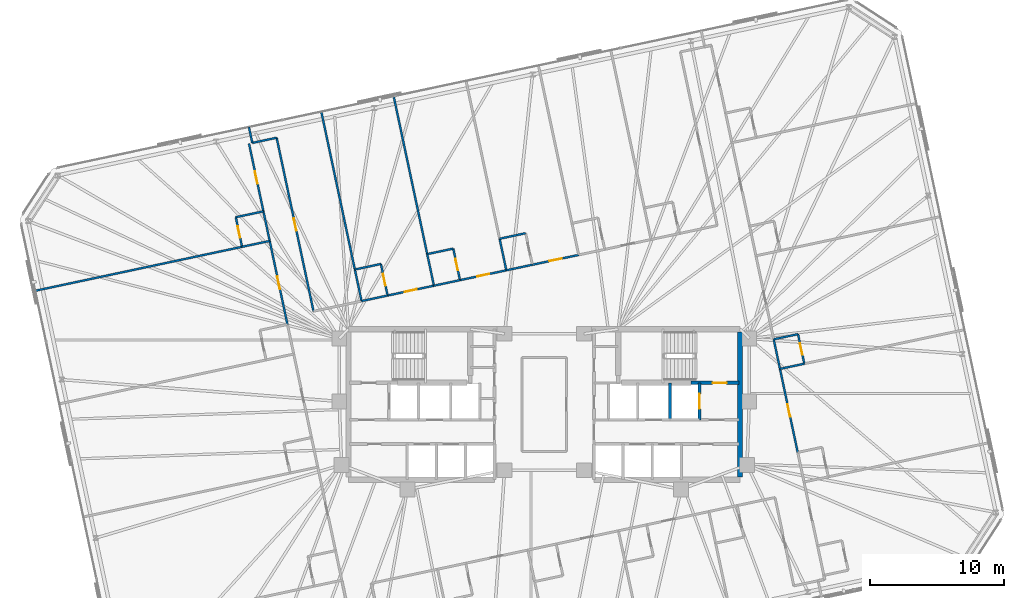
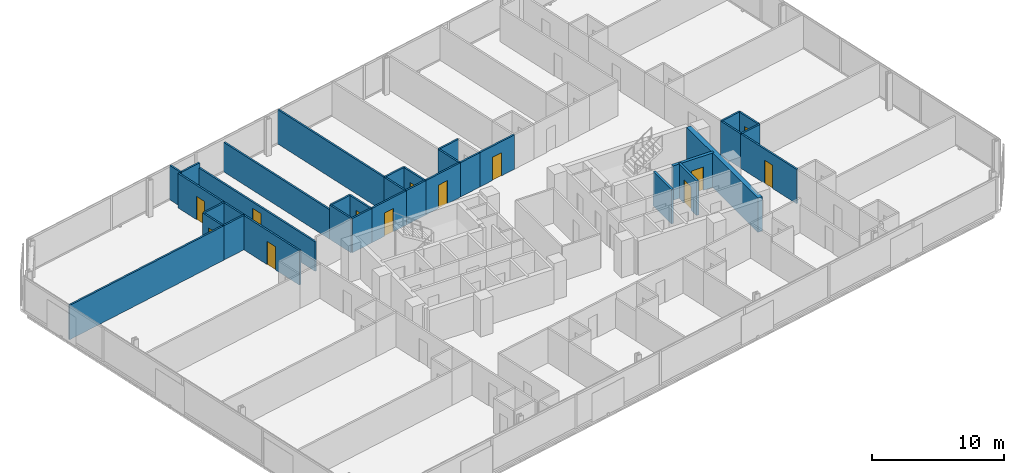
# One storey, part 17 of 20: 35 walls, 13 doors, 13 openings.
"""IFC4 building model written with IfcOpenShell, lengths in metres."""

from ifc_helpers import new_model, si_unit, direction, frame, frame_2d, origin, place, context, subcontext, project, spatial, rectangle, extrude, material, layer, layer_set, type_object, element, fill, save


model = new_model("IFC4")

# Units and contexts
model_context = context("Model", 3, precision=1e-05, world=origin(), true_north=direction((0.0, 1.0)))
body_context = subcontext(model_context, "Body", "Model", "MODEL_VIEW")
ifc_project = project(units=[si_unit("LENGTHUNIT", "METRE"), si_unit("AREAUNIT", "SQUARE_METRE"), si_unit("VOLUMEUNIT", "CUBIC_METRE"), si_unit("PLANEANGLEUNIT", "RADIAN"), si_unit("MASSUNIT", "GRAM", prefix="KILO")], contexts=[model_context])

# Site, building, storey
site_placement = place(None, origin())
site = spatial("IfcSite", under=ifc_project, at=site_placement, CompositionType="ELEMENT")
building_placement = place(site_placement, origin())
building = spatial("IfcBuilding", under=site, at=building_placement, Name="Menara Jurai Vektor", CompositionType="ELEMENT")
storey_placement = place(building_placement, frame((0.0, 0.0, 178.60009765625)))
storey = spatial("IfcBuildingStorey", under=building, at=storey_placement, Name="L46", CompositionType="ELEMENT", Elevation=178.60009765625)

# Wall, opening, door
ifc_material_1 = material(Name="Concrete C40/50", Category="concrete")
ifc_layer_1 = layer(ifc_material_1, 0.25)
ifc_layer_set_1 = layer_set([ifc_layer_1], Name="Concrete C40/50")
wall_type_1 = type_object("IfcWallType", Name="INT-WALL-CORE-250", PredefinedType="STANDARD", material=ifc_layer_set_1)
wall_1_placement = place(storey_placement, frame((10.89990234375, 1.60009765625, 0.0), z_axis=(0.0, 0.0, 1.0), x_axis=(1.0, 0.0, 0.0)))
wall_1 = element("IfcWall", 1, at=wall_1_placement, inside=storey, type_object=wall_type_1, Name="Interior Wall IW-250 L46", PredefinedType="STANDARD", context=body_context, shape_type="SweptSolid", body=[
    extrude(rectangle(XDim=3.60009765625, YDim=0.25, at=frame_2d((1.800048828125, 0.0))), origin(), (0.0, 0.0, 1.0), 3.1748046875),
])
opening_1_placement = place(wall_1_placement, frame((1.6201171875, 0.0, 0.0)))
opening_1 = element("IfcOpeningElement", 2, at=opening_1_placement, cuts=wall_1, Name="Opening D-L46-ST2", PredefinedType="OPENING", context=body_context, shape_type="SweptSolid", body=[
    extrude(rectangle(XDim=1.050048828125, YDim=2.14990234375, at=frame_2d((0.52490234375, 1.074951171875))), frame((0.0, 0.135009765625, 0.0), z_axis=(0.0, -1.0, 0.0), x_axis=(1.0, 0.0, 0.0)), (0.0, 0.0, 1.0), 0.27001953125),
])
ifc_material_2 = material(Name="Fire-Rated Steel Door", Category="steel")
door_type_1 = type_object("IfcDoorType", Name="DR-STAIR-1050", OperationType="NOTDEFINED", PredefinedType="DOOR", material=ifc_material_2)
door_1_placement = place(opening_1_placement, origin())
door_1 = element("IfcDoor", 3, at=door_1_placement, inside=storey, type_object=door_type_1, Name="Exit Stair ST2 Door L46", OperationType="SINGLE_SWING_LEFT", OverallHeight=2.14990234375, OverallWidth=1.050048828125, PredefinedType="DOOR", context=body_context, shape_type="SweptSolid", body=[
    extrude(rectangle(XDim=1.050048828125, YDim=2.14990234375, at=frame_2d((0.52490234375, 1.074951171875))), frame((0.0, 0.02490234375, 0.0), z_axis=(0.0, -1.0, 0.0), x_axis=(1.0, 0.0, 0.0)), (0.0, 0.0, 1.0), 0.050048828125),
])
fill(opening_1, door_1)

wall_2_placement = place(storey_placement, frame((11.550048828125, -1.14990234375, 0.0), z_axis=(0.0, 0.0, 1.0), x_axis=(0.0, 1.0, 0.0)))
wall_2 = element("IfcWall", 4, at=wall_2_placement, inside=storey, type_object=wall_type_1, Name="Interior Wall IW-250 L46", PredefinedType="STANDARD", context=body_context, shape_type="SweptSolid", body=[
    extrude(rectangle(XDim=2.75, YDim=0.199951171875, at=frame_2d((1.375, 0.0))), origin(), (0.0, 0.0, 1.0), 3.1748046875),
])
opening_2_placement = place(wall_2_placement, frame((0.824951171875, 0.0, 0.0)))
opening_2 = element("IfcOpeningElement", 5, at=opening_2_placement, cuts=wall_2, Name="Opening LD-L46-FL2", PredefinedType="OPENING", context=body_context, shape_type="SweptSolid", body=[
    extrude(rectangle(XDim=1.10009765625, YDim=2.14990234375, at=frame_2d((0.550048828125, 1.074951171875))), frame((0.0, 0.10986328125, 0.0), z_axis=(0.0, -1.0, 0.0), x_axis=(1.0, 0.0, 0.0)), (0.0, 0.0, 1.0), 0.219970703125),
])
ifc_material_3 = material(Name="Stainless Steel Sliding Lift Landing Door", Category="steel")
door_type_2 = type_object("IfcDoorType", Name="DR-LIFT-FIRE-1100", OperationType="NOTDEFINED", PredefinedType="DOOR", material=ifc_material_3)
door_2_placement = place(opening_2_placement, origin())
door_2 = element("IfcDoor", 6, at=door_2_placement, inside=storey, type_object=door_type_2, Name="Lift Landing Door FL2 L46", OperationType="SLIDING_TO_RIGHT", OverallHeight=2.14990234375, OverallWidth=1.10009765625, PredefinedType="DOOR", context=body_context, shape_type="SweptSolid", body=[
    extrude(rectangle(XDim=1.10009765625, YDim=2.14990234375, at=frame_2d((0.550048828125, 1.074951171875))), frame((0.0, 0.02490234375, 0.0), z_axis=(0.0, -1.0, 0.0), x_axis=(1.0, 0.0, 0.0)), (0.0, 0.0, 1.0), 0.050048828125),
])
fill(opening_2, door_2)

# Walls
wall_3_placement = place(storey_placement, frame((9.35009765625, -1.14990234375, 0.0), z_axis=(0.0, 0.0, 1.0), x_axis=(0.0, 1.0, 0.0)))
element("IfcWall", 7, at=wall_3_placement, inside=storey, type_object=wall_type_1, Name="Interior Wall IW-250 L46", PredefinedType="STANDARD", context=body_context, shape_type="SweptSolid", body=[
    extrude(rectangle(XDim=2.75, YDim=0.199951171875, at=frame_2d((1.375, 0.0))), origin(), (0.0, 0.0, 1.0), 3.1748046875),
])
ifc_material_4 = material(Name="Gypsum Fireboard Partition", Category="gypsum")
ifc_layer_2 = layer(ifc_material_4, 0.14990234375)
ifc_layer_set_2 = layer_set([ifc_layer_2], Name="Gypsum Fireboard Partition")
wall_type_2 = type_object("IfcWallType", Name="INT-WALL-CORR-150", PredefinedType="PARTITIONING", material=ifc_layer_set_2)
wall_4_placement = place(storey_placement, frame((-21.71533203125, 19.447998046875, 0.0), z_axis=(0.0, 0.0, 1.0), x_axis=(0.978160192495, 0.207852442415, 0.0)))
element("IfcWall", 8, at=wall_4_placement, inside=storey, type_object=wall_type_2, Name="Interior Wall IW-150 L46", PredefinedType="PARTITIONING", context=body_context, shape_type="SweptSolid", body=[
    extrude(rectangle(XDim=1.849853515625, YDim=0.14990234375, at=frame_2d((0.9248046875, 0.0))), origin(), (0.0, 0.0, 1.0), 3.1748046875),
])

# Wall, opening, door
wall_5_placement = place(storey_placement, frame((-11.651611328125, 8.097412109375, 0.0), z_axis=(0.0, 0.0, 1.0), x_axis=(0.978153036861, 0.207886114205, 0.0)))
wall_5 = element("IfcWall", 9, at=wall_5_placement, inside=storey, type_object=wall_type_2, Name="Interior Wall IW-150 L46", PredefinedType="PARTITIONING", context=body_context, shape_type="SweptSolid", body=[
    extrude(rectangle(XDim=3.52197265625, YDim=0.14990234375, at=frame_2d((1.760986328125, 0.0))), origin(), (0.0, 0.0, 1.0), 3.1748046875),
])
opening_3_placement = place(wall_5_placement, frame((1.301025390625, 0.0, 0.0)))
opening_3 = element("IfcOpeningElement", 10, at=opening_3_placement, cuts=wall_5, Name="Opening D46-10", PredefinedType="OPENING", context=body_context, shape_type="SweptSolid", body=[
    extrude(rectangle(XDim=0.919921875, YDim=2.14990234375, at=frame_2d((0.4599609375, 1.074951171875))), frame((0.0, 0.0849609375, 0.0), z_axis=(0.0, -1.0, 0.0), x_axis=(1.0, 0.0, 0.0)), (0.0, 0.0, 1.0), 0.169921875),
])
ifc_material_5 = material(Name="Solid Core Timber Fire Door", Category="wood")
door_type_3 = type_object("IfcDoorType", Name="DR-ENTRY-950", OperationType="NOTDEFINED", PredefinedType="DOOR", material=ifc_material_5)
door_3_placement = place(opening_3_placement, origin())
door_3 = element("IfcDoor", 11, at=door_3_placement, inside=storey, type_object=door_type_3, Name="Interior Door D46-10", OperationType="SINGLE_SWING_LEFT", OverallHeight=2.14990234375, OverallWidth=0.919921875, PredefinedType="DOOR", context=body_context, shape_type="SweptSolid", body=[
    extrude(rectangle(XDim=0.919921875, YDim=2.14990234375, at=frame_2d((0.4599609375, 1.074951171875))), frame((0.0, 0.02490234375, 0.0), z_axis=(0.0, -1.0, 0.0), x_axis=(1.0, 0.0, 0.0)), (0.0, 0.0, 1.0), 0.050048828125),
])
fill(opening_3, door_3)

# Wall
wall_6_placement = place(storey_placement, frame((-13.589111328125, 7.685302734375, 0.0), z_axis=(0.0, 0.0, 1.0), x_axis=(0.97811873796, 0.208047433175, 0.0)))
element("IfcWall", 12, at=wall_6_placement, inside=storey, type_object=wall_type_2, Name="Interior Wall IW-150 L46", PredefinedType="PARTITIONING", context=body_context, shape_type="SweptSolid", body=[
    extrude(rectangle(XDim=1.98095703125, YDim=0.14990234375, at=frame_2d((0.990478515625, 0.0))), origin(), (0.0, 0.0, 1.0), 3.1748046875),
])

# Wall, opening, door
wall_7_placement = place(storey_placement, frame((-6.268798828125, 9.241455078125, 0.0), z_axis=(0.0, 0.0, 1.0), x_axis=(0.978150924733, 0.207896052016, 0.0)))
wall_7 = element("IfcWall", 13, at=wall_7_placement, inside=storey, type_object=wall_type_2, Name="Interior Wall IW-150 L46", PredefinedType="PARTITIONING", context=body_context, shape_type="SweptSolid", body=[
    extrude(rectangle(XDim=3.52294921875, YDim=0.14990234375, at=frame_2d((1.761474609375, 0.0))), origin(), (0.0, 0.0, 1.0), 3.1748046875),
])
opening_4_placement = place(wall_7_placement, frame((1.301513671875, 0.0, 0.0)))
opening_4 = element("IfcOpeningElement", 14, at=opening_4_placement, cuts=wall_7, Name="Opening D46-12", PredefinedType="OPENING", context=body_context, shape_type="SweptSolid", body=[
    extrude(rectangle(XDim=0.919921875, YDim=2.14990234375, at=frame_2d((0.4599609375, 1.074951171875))), frame((0.0, 0.0849609375, 0.0), z_axis=(0.0, -1.0, 0.0), x_axis=(1.0, 0.0, 0.0)), (0.0, 0.0, 1.0), 0.169921875),
])
door_4_placement = place(opening_4_placement, origin())
door_4 = element("IfcDoor", 15, at=door_4_placement, inside=storey, type_object=door_type_3, Name="Interior Door D46-12", OperationType="SINGLE_SWING_LEFT", OverallHeight=2.14990234375, OverallWidth=0.919921875, PredefinedType="DOOR", context=body_context, shape_type="SweptSolid", body=[
    extrude(rectangle(XDim=0.919921875, YDim=2.14990234375, at=frame_2d((0.4599609375, 1.074951171875))), frame((0.0, 0.02490234375, 0.0), z_axis=(0.0, -1.0, 0.0), x_axis=(1.0, 0.0, 0.0)), (0.0, 0.0, 1.0), 0.050048828125),
])
fill(opening_4, door_4)

# Wall
wall_8_placement = place(storey_placement, frame((-8.20654296875, 8.82958984375, 0.0), z_axis=(0.0, 0.0, 1.0), x_axis=(0.978149140323, 0.20790444749, 0.0)))
element("IfcWall", 16, at=wall_8_placement, inside=storey, type_object=wall_type_2, Name="Interior Wall IW-150 L46", PredefinedType="PARTITIONING", context=body_context, shape_type="SweptSolid", body=[
    extrude(rectangle(XDim=1.98095703125, YDim=0.14990234375, at=frame_2d((0.990478515625, 0.0))), origin(), (0.0, 0.0, 1.0), 3.1748046875),
])

# Wall, opening, door
wall_9_placement = place(storey_placement, frame((-0.885009765625, 10.3857421875, 0.0), z_axis=(0.0, 0.0, 1.0), x_axis=(0.978153036861, 0.207886114205, 0.0)))
wall_9 = element("IfcWall", 17, at=wall_9_placement, inside=storey, type_object=wall_type_2, Name="Interior Wall IW-150 L46", PredefinedType="PARTITIONING", context=body_context, shape_type="SweptSolid", body=[
    extrude(rectangle(XDim=3.52197265625, YDim=0.14990234375, at=frame_2d((1.760986328125, 0.0))), origin(), (0.0, 0.0, 1.0), 3.1748046875),
])
opening_5_placement = place(wall_9_placement, frame((1.301025390625, 0.0, 0.0)))
opening_5 = element("IfcOpeningElement", 18, at=opening_5_placement, cuts=wall_9, Name="Opening D46-14", PredefinedType="OPENING", context=body_context, shape_type="SweptSolid", body=[
    extrude(rectangle(XDim=0.919921875, YDim=2.14990234375, at=frame_2d((0.4599609375, 1.074951171875))), frame((0.0, 0.0849609375, 0.0), z_axis=(0.0, -1.0, 0.0), x_axis=(1.0, 0.0, 0.0)), (0.0, 0.0, 1.0), 0.169921875),
])
door_5_placement = place(opening_5_placement, origin())
door_5 = element("IfcDoor", 19, at=door_5_placement, inside=storey, type_object=door_type_3, Name="Interior Door D46-14", OperationType="SINGLE_SWING_LEFT", OverallHeight=2.14990234375, OverallWidth=0.919921875, PredefinedType="DOOR", context=body_context, shape_type="SweptSolid", body=[
    extrude(rectangle(XDim=0.919921875, YDim=2.14990234375, at=frame_2d((0.4599609375, 1.074951171875))), frame((0.0, 0.02490234375, 0.0), z_axis=(0.0, -1.0, 0.0), x_axis=(1.0, 0.0, 0.0)), (0.0, 0.0, 1.0), 0.050048828125),
])
fill(opening_5, door_5)

# Wall
wall_10_placement = place(storey_placement, frame((-2.82275390625, 9.973876953125, 0.0), z_axis=(0.0, 0.0, 1.0), x_axis=(0.978149140323, 0.20790444749, 0.0)))
element("IfcWall", 20, at=wall_10_placement, inside=storey, type_object=wall_type_2, Name="Interior Wall IW-150 L46", PredefinedType="PARTITIONING", context=body_context, shape_type="SweptSolid", body=[
    extrude(rectangle(XDim=1.98095703125, YDim=0.14990234375, at=frame_2d((0.990478515625, 0.0))), origin(), (0.0, 0.0, 1.0), 3.1748046875),
])

# Wall, opening, door
wall_11_placement = place(storey_placement, frame((-19.10107421875, 5.9462890625, 0.0), z_axis=(0.0, 0.0, 1.0), x_axis=(-0.207916691923, 0.978146537703, 0.0)))
wall_11 = element("IfcWall", 21, at=wall_11_placement, inside=storey, type_object=wall_type_2, Name="Interior Wall IW-150 L46", PredefinedType="PARTITIONING", context=body_context, shape_type="SweptSolid", body=[
    extrude(rectangle(XDim=6.35009765625, YDim=0.14990234375, at=frame_2d((3.175048828125, 0.0))), origin(), (0.0, 0.0, 1.0), 3.1748046875),
])
opening_6_placement = place(wall_11_placement, frame((2.699951171875, 0.0, 0.0)))
opening_6 = element("IfcOpeningElement", 22, at=opening_6_placement, cuts=wall_11, Name="Opening D46-35", PredefinedType="OPENING", context=body_context, shape_type="SweptSolid", body=[
    extrude(rectangle(XDim=0.949951171875, YDim=2.14990234375, at=frame_2d((0.47509765625, 1.074951171875))), frame((0.0, 0.0849609375, 0.0), z_axis=(0.0, -1.0, 0.0), x_axis=(1.0, 0.0, 0.0)), (0.0, 0.0, 1.0), 0.169921875),
])
door_6_placement = place(opening_6_placement, origin())
door_6 = element("IfcDoor", 23, at=door_6_placement, inside=storey, type_object=door_type_3, Name="Interior Door D46-35", OperationType="SINGLE_SWING_RIGHT", OverallHeight=2.14990234375, OverallWidth=0.949951171875, PredefinedType="DOOR", context=body_context, shape_type="SweptSolid", body=[
    extrude(rectangle(XDim=0.949951171875, YDim=2.14990234375, at=frame_2d((0.47509765625, 1.074951171875))), frame((0.0, 0.02490234375, 0.0), z_axis=(0.0, -1.0, 0.0), x_axis=(1.0, 0.0, 0.0)), (0.0, 0.0, 1.0), 0.050048828125),
])
fill(opening_6, door_6)

wall_12_placement = place(storey_placement, frame((-20.88916015625, 14.3583984375, 0.0), z_axis=(0.0, 0.0, 1.0), x_axis=(-0.207916584961, 0.978146560439, 0.0)))
wall_12 = element("IfcWall", 24, at=wall_12_placement, inside=storey, type_object=wall_type_2, Name="Interior Wall IW-150 L46", PredefinedType="PARTITIONING", context=body_context, shape_type="SweptSolid", body=[
    extrude(rectangle(XDim=5.150146484375, YDim=0.14990234375, at=frame_2d((2.5751953125, 0.0))), origin(), (0.0, 0.0, 1.0), 3.1748046875),
])
opening_7_placement = place(wall_12_placement, frame((2.10009765625, 0.0, 0.0)))
opening_7 = element("IfcOpeningElement", 25, at=opening_7_placement, cuts=wall_12, Name="Opening D46-37", PredefinedType="OPENING", context=body_context, shape_type="SweptSolid", body=[
    extrude(rectangle(XDim=0.949951171875, YDim=2.14990234375, at=frame_2d((0.47509765625, 1.074951171875))), frame((0.0, 0.0849609375, 0.0), z_axis=(0.0, -1.0, 0.0), x_axis=(1.0, 0.0, 0.0)), (0.0, 0.0, 1.0), 0.169921875),
])
door_7_placement = place(opening_7_placement, origin())
door_7 = element("IfcDoor", 26, at=door_7_placement, inside=storey, type_object=door_type_3, Name="Interior Door D46-37", OperationType="SINGLE_SWING_RIGHT", OverallHeight=2.14990234375, OverallWidth=0.949951171875, PredefinedType="DOOR", context=body_context, shape_type="SweptSolid", body=[
    extrude(rectangle(XDim=0.949951171875, YDim=2.14990234375, at=frame_2d((0.47509765625, 1.074951171875))), frame((0.0, 0.02490234375, 0.0), z_axis=(0.0, -1.0, 0.0), x_axis=(1.0, 0.0, 0.0)), (0.0, 0.0, 1.0), 0.050048828125),
])
fill(opening_7, door_7)

# Wall
wall_13_placement = place(storey_placement, frame((-20.42138671875, 12.15771484375, 0.0), z_axis=(0.0, 0.0, 1.0), x_axis=(-0.207913264065, 0.978147266328, 0.0)))
element("IfcWall", 27, at=wall_13_placement, inside=storey, type_object=wall_type_2, Name="Interior Wall IW-150 L46", PredefinedType="PARTITIONING", context=body_context, shape_type="SweptSolid", body=[
    extrude(rectangle(XDim=2.249755859375, YDim=0.14990234375, at=frame_2d((1.125, 0.0))), origin(), (0.0, 0.0, 1.0), 3.1748046875),
])

# Wall, opening, door
wall_14_placement = place(storey_placement, frame((18.851806640625, -3.57080078125, 0.0), z_axis=(0.0, 0.0, 1.0), x_axis=(-0.207879907349, 0.978154355979, 0.0)))
wall_14 = element("IfcWall", 28, at=wall_14_placement, inside=storey, type_object=wall_type_2, Name="Interior Wall IW-150 L46", PredefinedType="PARTITIONING", context=body_context, shape_type="SweptSolid", body=[
    extrude(rectangle(XDim=6.35009765625, YDim=0.14990234375, at=frame_2d((3.175048828125, 0.0))), origin(), (0.0, 0.0, 1.0), 3.1748046875),
])
opening_8_placement = place(wall_14_placement, frame((2.699951171875, 0.0, 0.0)))
opening_8 = element("IfcOpeningElement", 29, at=opening_8_placement, cuts=wall_14, Name="Opening D46-41", PredefinedType="OPENING", context=body_context, shape_type="SweptSolid", body=[
    extrude(rectangle(XDim=0.949951171875, YDim=2.14990234375, at=frame_2d((0.47509765625, 1.074951171875))), frame((0.0, 0.0849609375, 0.0), z_axis=(0.0, -1.0, 0.0), x_axis=(1.0, 0.0, 0.0)), (0.0, 0.0, 1.0), 0.169921875),
])
door_8_placement = place(opening_8_placement, origin())
door_8 = element("IfcDoor", 30, at=door_8_placement, inside=storey, type_object=door_type_3, Name="Interior Door D46-41", OperationType="SINGLE_SWING_RIGHT", OverallHeight=2.14990234375, OverallWidth=0.949951171875, PredefinedType="DOOR", context=body_context, shape_type="SweptSolid", body=[
    extrude(rectangle(XDim=0.949951171875, YDim=2.14990234375, at=frame_2d((0.47509765625, 1.074951171875))), frame((0.0, 0.02490234375, 0.0), z_axis=(0.0, -1.0, 0.0), x_axis=(1.0, 0.0, 0.0)), (0.0, 0.0, 1.0), 0.050048828125),
])
fill(opening_8, door_8)

# Walls
wall_15_placement = place(storey_placement, frame((17.53173828125, 2.640625, 0.0), z_axis=(0.0, 0.0, 1.0), x_axis=(-0.207913264065, 0.978147266328, 0.0)))
element("IfcWall", 31, at=wall_15_placement, inside=storey, type_object=wall_type_2, Name="Interior Wall IW-150 L46", PredefinedType="PARTITIONING", context=body_context, shape_type="SweptSolid", body=[
    extrude(rectangle(XDim=2.249755859375, YDim=0.14990234375, at=frame_2d((1.125, 0.0))), origin(), (0.0, 0.0, 1.0), 3.1748046875),
])
wall_16_placement = place(storey_placement, frame((-13.589111328125, 7.685302734375, 0.0), z_axis=(0.0, 0.0, 1.0), x_axis=(-0.207917150959, 0.978146440129, 0.0)))
element("IfcWall", 32, at=wall_16_placement, inside=storey, type_object=wall_type_2, Name="Interior Wall IW-150 L46", PredefinedType="PARTITIONING", context=body_context, shape_type="SweptSolid", body=[
    extrude(rectangle(XDim=2.400146484375, YDim=0.14990234375, at=frame_2d((1.2001953125, 0.0))), origin(), (0.0, 0.0, 1.0), 3.1748046875),
])
wall_17_placement = place(storey_placement, frame((-21.71533203125, 19.447998046875, 0.0), z_axis=(0.0, 0.0, 1.0), x_axis=(-0.20795853359, 0.978137642823, 0.0)))
element("IfcWall", 33, at=wall_17_placement, inside=storey, type_object=wall_type_2, Name="Interior Wall IW-150 L46", PredefinedType="PARTITIONING", context=body_context, shape_type="SweptSolid", body=[
    extrude(rectangle(XDim=1.19970703125, YDim=0.14990234375, at=frame_2d((0.599853515625, 0.0))), origin(), (0.0, 0.0, 1.0), 3.1748046875),
])
wall_18_placement = place(storey_placement, frame((-14.088134765625, 10.032958984375, 0.0), z_axis=(0.0, 0.0, 1.0), x_axis=(0.978149140323, 0.20790444749, 0.0)))
element("IfcWall", 34, at=wall_18_placement, inside=storey, type_object=wall_type_2, Name="Interior Wall IW-150 L46", PredefinedType="PARTITIONING", context=body_context, shape_type="SweptSolid", body=[
    extrude(rectangle(XDim=1.98095703125, YDim=0.14990234375, at=frame_2d((0.990478515625, 0.0))), origin(), (0.0, 0.0, 1.0), 3.1748046875),
])

# Wall, opening, door
wall_19_placement = place(storey_placement, frame((-11.651611328125, 8.097412109375, 0.0), z_axis=(0.0, 0.0, 1.0), x_axis=(-0.207840504985, 0.978162729042, 0.0)))
wall_19 = element("IfcWall", 35, at=wall_19_placement, inside=storey, type_object=wall_type_2, Name="Interior Wall IW-150 L46", PredefinedType="PARTITIONING", context=body_context, shape_type="SweptSolid", body=[
    extrude(rectangle(XDim=2.39990234375, YDim=0.14990234375, at=frame_2d((1.199951171875, 0.0))), origin(), (0.0, 0.0, 1.0), 3.1748046875),
])
opening_9_placement = place(wall_19_placement, frame((0.760009765625, 0.0, 0.0)))
opening_9 = element("IfcOpeningElement", 36, at=opening_9_placement, cuts=wall_19, Name="Opening D46-11", PredefinedType="OPENING", context=body_context, shape_type="SweptSolid", body=[
    extrude(rectangle(XDim=0.8798828125, YDim=2.14990234375, at=frame_2d((0.43994140625, 1.074951171875))), frame((0.0, 0.0849609375, 0.0), z_axis=(0.0, -1.0, 0.0), x_axis=(1.0, 0.0, 0.0)), (0.0, 0.0, 1.0), 0.169921875),
])
ifc_material_6 = material(Name="Moisture-Resistant Timber Door", Category="wood")
door_type_4 = type_object("IfcDoorType", Name="DR-BATH-880", OperationType="NOTDEFINED", PredefinedType="DOOR", material=ifc_material_6)
door_9_placement = place(opening_9_placement, origin())
door_9 = element("IfcDoor", 37, at=door_9_placement, inside=storey, type_object=door_type_4, Name="Interior Door D46-11", OperationType="SINGLE_SWING_RIGHT", OverallHeight=2.14990234375, OverallWidth=0.8798828125, PredefinedType="DOOR", context=body_context, shape_type="SweptSolid", body=[
    extrude(rectangle(XDim=0.8798828125, YDim=2.14990234375, at=frame_2d((0.43994140625, 1.074951171875))), frame((0.0, 0.02490234375, 0.0), z_axis=(0.0, -1.0, 0.0), x_axis=(1.0, 0.0, 0.0)), (0.0, 0.0, 1.0), 0.050048828125),
])
fill(opening_9, door_9)

# Walls
wall_20_placement = place(storey_placement, frame((-8.70556640625, 11.177001953125, 0.0), z_axis=(0.0, 0.0, 1.0), x_axis=(-0.207910848762, 0.978147779718, 0.0)))
element("IfcWall", 38, at=wall_20_placement, inside=storey, type_object=wall_type_2, Name="Interior Wall IW-150 L46", PredefinedType="PARTITIONING", context=body_context, shape_type="SweptSolid", body=[
    extrude(rectangle(XDim=11.9951171875, YDim=0.14990234375, at=frame_2d((5.99755859375, 0.0))), origin(), (0.0, 0.0, 1.0), 3.1748046875),
])
wall_21_placement = place(storey_placement, frame((-8.20654296875, 8.82958984375, 0.0), z_axis=(0.0, 0.0, 1.0), x_axis=(-0.207937840262, 0.978142042133, 0.0)))
element("IfcWall", 39, at=wall_21_placement, inside=storey, type_object=wall_type_2, Name="Interior Wall IW-150 L46", PredefinedType="PARTITIONING", context=body_context, shape_type="SweptSolid", body=[
    extrude(rectangle(XDim=2.39990234375, YDim=0.14990234375, at=frame_2d((1.199951171875, 0.0))), origin(), (0.0, 0.0, 1.0), 3.1748046875),
])
wall_22_placement = place(storey_placement, frame((-8.70556640625, 11.177001953125, 0.0), z_axis=(0.0, 0.0, 1.0), x_axis=(0.978149140323, 0.20790444749, 0.0)))
element("IfcWall", 40, at=wall_22_placement, inside=storey, type_object=wall_type_2, Name="Interior Wall IW-150 L46", PredefinedType="PARTITIONING", context=body_context, shape_type="SweptSolid", body=[
    extrude(rectangle(XDim=1.98095703125, YDim=0.14990234375, at=frame_2d((0.990478515625, 0.0))), origin(), (0.0, 0.0, 1.0), 3.1748046875),
])

# Wall, opening, door
wall_23_placement = place(storey_placement, frame((-6.268798828125, 9.241455078125, 0.0), z_axis=(0.0, 0.0, 1.0), x_axis=(-0.207937840262, 0.978142042133, 0.0)))
wall_23 = element("IfcWall", 41, at=wall_23_placement, inside=storey, type_object=wall_type_2, Name="Interior Wall IW-150 L46", PredefinedType="PARTITIONING", context=body_context, shape_type="SweptSolid", body=[
    extrude(rectangle(XDim=2.39990234375, YDim=0.14990234375, at=frame_2d((1.199951171875, 0.0))), origin(), (0.0, 0.0, 1.0), 3.1748046875),
])
opening_10_placement = place(wall_23_placement, frame((0.760009765625, 0.0, 0.0)))
opening_10 = element("IfcOpeningElement", 42, at=opening_10_placement, cuts=wall_23, Name="Opening D46-13", PredefinedType="OPENING", context=body_context, shape_type="SweptSolid", body=[
    extrude(rectangle(XDim=0.8798828125, YDim=2.14990234375, at=frame_2d((0.43994140625, 1.074951171875))), frame((0.0, 0.0849609375, 0.0), z_axis=(0.0, -1.0, 0.0), x_axis=(1.0, 0.0, 0.0)), (0.0, 0.0, 1.0), 0.169921875),
])
door_10_placement = place(opening_10_placement, origin())
door_10 = element("IfcDoor", 43, at=door_10_placement, inside=storey, type_object=door_type_4, Name="Interior Door D46-13", OperationType="SINGLE_SWING_RIGHT", OverallHeight=2.14990234375, OverallWidth=0.8798828125, PredefinedType="DOOR", context=body_context, shape_type="SweptSolid", body=[
    extrude(rectangle(XDim=0.8798828125, YDim=2.14990234375, at=frame_2d((0.43994140625, 1.074951171875))), frame((0.0, 0.02490234375, 0.0), z_axis=(0.0, -1.0, 0.0), x_axis=(1.0, 0.0, 0.0)), (0.0, 0.0, 1.0), 0.050048828125),
])
fill(opening_10, door_10)

# Walls
wall_24_placement = place(storey_placement, frame((-2.82275390625, 9.973876953125, 0.0), z_axis=(0.0, 0.0, 1.0), x_axis=(-0.207937840262, 0.978142042133, 0.0)))
element("IfcWall", 44, at=wall_24_placement, inside=storey, type_object=wall_type_2, Name="Interior Wall IW-150 L46", PredefinedType="PARTITIONING", context=body_context, shape_type="SweptSolid", body=[
    extrude(rectangle(XDim=2.39990234375, YDim=0.14990234375, at=frame_2d((1.199951171875, 0.0))), origin(), (0.0, 0.0, 1.0), 3.1748046875),
])
wall_25_placement = place(storey_placement, frame((-3.32177734375, 12.3212890625, 0.0), z_axis=(0.0, 0.0, 1.0), x_axis=(0.978124071753, 0.208022355187, 0.0)))
element("IfcWall", 45, at=wall_25_placement, inside=storey, type_object=wall_type_2, Name="Interior Wall IW-150 L46", PredefinedType="PARTITIONING", context=body_context, shape_type="SweptSolid", body=[
    extrude(rectangle(XDim=1.981201171875, YDim=0.14990234375, at=frame_2d((0.99072265625, 0.0))), origin(), (0.0, 0.0, 1.0), 3.1748046875),
])
wall_26_placement = place(storey_placement, frame((-37.85009765625, 8.453125, 0.0), z_axis=(0.0, 0.0, 1.0), x_axis=(0.978149296727, 0.207903711638, 0.0)))
element("IfcWall", 46, at=wall_26_placement, inside=storey, type_object=wall_type_2, Name="Interior Wall IW-150 L46", PredefinedType="PARTITIONING", context=body_context, shape_type="SweptSolid", body=[
    extrude(rectangle(XDim=15.718017578125, YDim=0.14990234375, at=frame_2d((7.85888671875, 0.0))), origin(), (0.0, 0.0, 1.0), 3.1748046875),
])
wall_27_placement = place(storey_placement, frame((-22.4755859375, 11.720947265625, 0.0), z_axis=(0.0, 0.0, 1.0), x_axis=(0.978134617382, 0.207972763311, 0.0)))
element("IfcWall", 47, at=wall_27_placement, inside=storey, type_object=wall_type_2, Name="Interior Wall IW-150 L46", PredefinedType="PARTITIONING", context=body_context, shape_type="SweptSolid", body=[
    extrude(rectangle(XDim=2.10009765625, YDim=0.14990234375, at=frame_2d((1.050048828125, 0.0))), origin(), (0.0, 0.0, 1.0), 3.1748046875),
])

# Wall, opening, door
wall_28_placement = place(storey_placement, frame((-22.4755859375, 11.720947265625, 0.0), z_axis=(0.0, 0.0, 1.0), x_axis=(-0.207891197838, 0.978151956427, 0.0)))
wall_28 = element("IfcWall", 48, at=wall_28_placement, inside=storey, type_object=wall_type_2, Name="Interior Wall IW-150 L46", PredefinedType="PARTITIONING", context=body_context, shape_type="SweptSolid", body=[
    extrude(rectangle(XDim=2.25, YDim=0.14990234375, at=frame_2d((1.125, 0.0))), origin(), (0.0, 0.0, 1.0), 3.1748046875),
])
opening_11_placement = place(wall_28_placement, frame((0.68505859375, 0.0, 0.0)))
opening_11 = element("IfcOpeningElement", 49, at=opening_11_placement, cuts=wall_28, Name="Opening D46-38", PredefinedType="OPENING", context=body_context, shape_type="SweptSolid", body=[
    extrude(rectangle(XDim=0.8798828125, YDim=2.14990234375, at=frame_2d((0.43994140625, 1.074951171875))), frame((0.0, 0.0849609375, 0.0), z_axis=(0.0, -1.0, 0.0), x_axis=(1.0, 0.0, 0.0)), (0.0, 0.0, 1.0), 0.169921875),
])
door_11_placement = place(opening_11_placement, origin())
door_11 = element("IfcDoor", 50, at=door_11_placement, inside=storey, type_object=door_type_4, Name="Interior Door D46-38", OperationType="SINGLE_SWING_LEFT", OverallHeight=2.14990234375, OverallWidth=0.8798828125, PredefinedType="DOOR", context=body_context, shape_type="SweptSolid", body=[
    extrude(rectangle(XDim=0.8798828125, YDim=2.14990234375, at=frame_2d((0.43994140625, 1.074951171875))), frame((0.0, 0.02490234375, 0.0), z_axis=(0.0, -1.0, 0.0), x_axis=(1.0, 0.0, 0.0)), (0.0, 0.0, 1.0), 0.050048828125),
])
fill(opening_11, door_11)

# Walls
wall_29_placement = place(storey_placement, frame((-22.943359375, 13.921875, 0.0), z_axis=(0.0, 0.0, 1.0), x_axis=(0.97815826, 0.207861536591, 0.0)))
element("IfcWall", 51, at=wall_29_placement, inside=storey, type_object=wall_type_2, Name="Interior Wall IW-150 L46", PredefinedType="PARTITIONING", context=body_context, shape_type="SweptSolid", body=[
    extrude(rectangle(XDim=2.10009765625, YDim=0.14990234375, at=frame_2d((1.050048828125, 0.0))), origin(), (0.0, 0.0, 1.0), 3.1748046875),
])
wall_30_placement = place(storey_placement, frame((17.53173828125, 2.640625, 0.0), z_axis=(0.0, 0.0, 1.0), x_axis=(0.978160192495, 0.207852442415, 0.0)))
element("IfcWall", 52, at=wall_30_placement, inside=storey, type_object=wall_type_2, Name="Interior Wall IW-150 L46", PredefinedType="PARTITIONING", context=body_context, shape_type="SweptSolid", body=[
    extrude(rectangle(XDim=1.849853515625, YDim=0.14990234375, at=frame_2d((0.9248046875, 0.0))), origin(), (0.0, 0.0, 1.0), 3.1748046875),
])
wall_31_placement = place(storey_placement, frame((17.06396484375, 4.84130859375, 0.0), z_axis=(0.0, 0.0, 1.0), x_axis=(0.978133353907, 0.20797870558, 0.0)))
element("IfcWall", 53, at=wall_31_placement, inside=storey, type_object=wall_type_2, Name="Interior Wall IW-150 L46", PredefinedType="PARTITIONING", context=body_context, shape_type="SweptSolid", body=[
    extrude(rectangle(XDim=1.85009765625, YDim=0.14990234375, at=frame_2d((0.925048828125, 0.0))), origin(), (0.0, 0.0, 1.0), 3.1748046875),
])

# Wall, opening, door
wall_32_placement = place(storey_placement, frame((19.34130859375, 3.025146484375, 0.0), z_axis=(0.0, 0.0, 1.0), x_axis=(-0.207891197838, 0.978151956427, 0.0)))
wall_32 = element("IfcWall", 54, at=wall_32_placement, inside=storey, type_object=wall_type_2, Name="Interior Wall IW-150 L46", PredefinedType="PARTITIONING", context=body_context, shape_type="SweptSolid", body=[
    extrude(rectangle(XDim=2.25, YDim=0.14990234375, at=frame_2d((1.125, 0.0))), origin(), (0.0, 0.0, 1.0), 3.1748046875),
])
opening_12_placement = place(wall_32_placement, frame((0.68505859375, 0.0, 0.0)))
opening_12 = element("IfcOpeningElement", 55, at=opening_12_placement, cuts=wall_32, Name="Opening D46-44", PredefinedType="OPENING", context=body_context, shape_type="SweptSolid", body=[
    extrude(rectangle(XDim=0.8798828125, YDim=2.14990234375, at=frame_2d((0.43994140625, 1.074951171875))), frame((0.0, 0.0849609375, 0.0), z_axis=(0.0, -1.0, 0.0), x_axis=(1.0, 0.0, 0.0)), (0.0, 0.0, 1.0), 0.169921875),
])
door_12_placement = place(opening_12_placement, origin())
door_12 = element("IfcDoor", 56, at=door_12_placement, inside=storey, type_object=door_type_4, Name="Interior Door D46-44", OperationType="SINGLE_SWING_LEFT", OverallHeight=2.14990234375, OverallWidth=0.8798828125, PredefinedType="DOOR", context=body_context, shape_type="SweptSolid", body=[
    extrude(rectangle(XDim=0.8798828125, YDim=2.14990234375, at=frame_2d((0.43994140625, 1.074951171875))), frame((0.0, 0.02490234375, 0.0), z_axis=(0.0, -1.0, 0.0), x_axis=(1.0, 0.0, 0.0)), (0.0, 0.0, 1.0), 0.050048828125),
])
fill(opening_12, door_12)

ifc_layer_3 = layer(ifc_material_4, 0.14990234375)
ifc_layer_set_3 = layer_set([ifc_layer_3], Name="Gypsum Fireboard Partition")
wall_type_3 = type_object("IfcWallType", Name="INT-WALL-CORR-150-H1", PredefinedType="PARTITIONING", material=ifc_layer_set_3)
wall_33_placement = place(storey_placement, frame((-17.162353515625, 6.92578125, 0.0), z_axis=(0.0, 0.0, 1.0), x_axis=(-0.207911421929, 0.978147657888, 0.0)))
wall_33 = element("IfcWall", 57, at=wall_33_placement, inside=storey, type_object=wall_type_3, Name="Interior Wall IW-150 L46", PredefinedType="PARTITIONING", context=body_context, shape_type="SweptSolid", body=[
    extrude(rectangle(XDim=13.195068359375, YDim=0.14990234375, at=frame_2d((6.59765625, 0.0))), origin(), (0.0, 0.0, 1.0), 2.724853515625),
])
opening_13_placement = place(wall_33_placement, frame((6.137451171875, 0.0, 0.0)))
opening_13 = element("IfcOpeningElement", 58, at=opening_13_placement, cuts=wall_33, Name="Opening D46-09", PredefinedType="OPENING", context=body_context, shape_type="SweptSolid", body=[
    extrude(rectangle(XDim=0.919921875, YDim=2.14990234375, at=frame_2d((0.4599609375, 1.074951171875))), frame((0.0, 0.0849609375, 0.0), z_axis=(0.0, -1.0, 0.0), x_axis=(1.0, 0.0, 0.0)), (0.0, 0.0, 1.0), 0.169921875),
])
door_13_placement = place(opening_13_placement, origin())
door_13 = element("IfcDoor", 59, at=door_13_placement, inside=storey, type_object=door_type_3, Name="Interior Door D46-09", OperationType="SINGLE_SWING_RIGHT", OverallHeight=2.14990234375, OverallWidth=0.919921875, PredefinedType="DOOR", context=body_context, shape_type="SweptSolid", body=[
    extrude(rectangle(XDim=0.919921875, YDim=2.14990234375, at=frame_2d((0.4599609375, 1.074951171875))), frame((0.0, 0.02490234375, 0.0), z_axis=(0.0, -1.0, 0.0), x_axis=(1.0, 0.0, 0.0)), (0.0, 0.0, 1.0), 0.050048828125),
])
fill(opening_13, door_13)

# Walls
wall_34_placement = place(storey_placement, frame((-14.088134765625, 10.032958984375, 0.0), z_axis=(0.0, 0.0, 1.0), x_axis=(-0.207910848762, 0.978147779718, 0.0)))
element("IfcWall", 60, at=wall_34_placement, inside=storey, type_object=wall_type_3, Name="Interior Wall IW-150 L46", PredefinedType="PARTITIONING", context=body_context, shape_type="SweptSolid", body=[
    extrude(rectangle(XDim=11.9951171875, YDim=0.14990234375, at=frame_2d((5.99755859375, 0.0))), origin(), (0.0, 0.0, 1.0), 2.724853515625),
])
ifc_material_7 = material(Name="Concrete C50/60", Category="concrete")
ifc_layer_4 = layer(ifc_material_7, 0.39990234375)
ifc_layer_set_4 = layer_set([ifc_layer_4], Name="Concrete C50/60")
wall_type_4 = type_object("IfcWallType", Name="STR-WALL-CORE400", PredefinedType="SHEAR", material=ifc_layer_set_4)
wall_35_placement = place(storey_placement, frame((14.56005859375, -5.39990234375, 0.0), z_axis=(0.0, 0.0, 1.0), x_axis=(0.0, 1.0, 0.0)))
element("IfcWall", 61, at=wall_35_placement, inside=storey, type_object=wall_type_4, Name="Core Shear Wall CW-E-E L46", PredefinedType="SHEAR", context=body_context, shape_type="SweptSolid", body=[
    extrude(rectangle(XDim=10.7998046875, YDim=0.39990234375, at=frame_2d((5.39990234375, 0.0))), origin(), (0.0, 0.0, 1.0), 3.1748046875),
])

save(model, "model.ifc")
